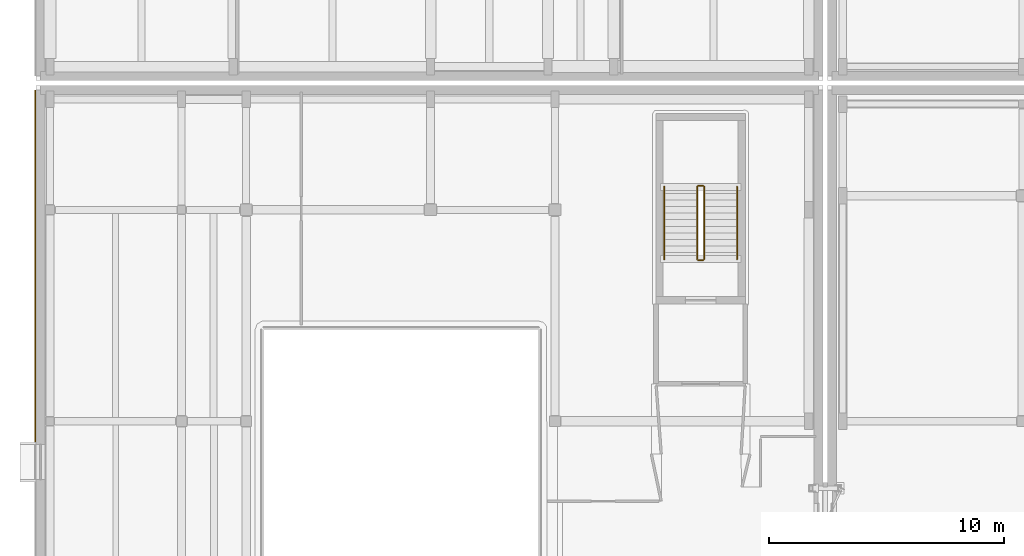
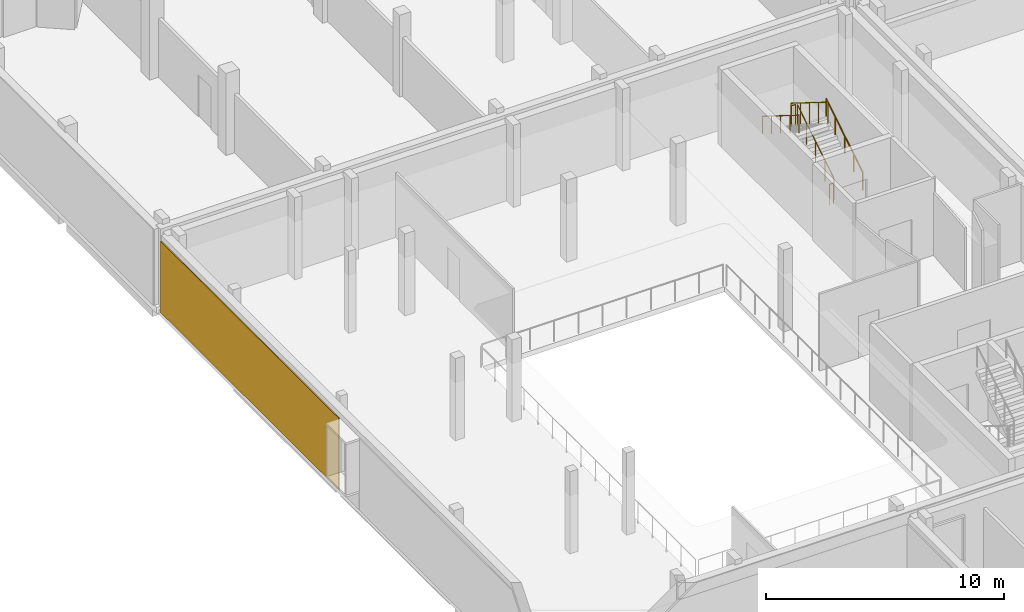
# One storey, part 73 of 84: 6 railings, 1 covering.
"""IFC4 building model written with IfcOpenShell, lengths in metres."""

from ifc_helpers import new_model, si_unit, direction, frame, origin, origin_2d, place, context, subcontext, project, spatial, rectangle, circle, extrude, material, layer, layer_set, type_object, element, save


model = new_model("IFC4")

# Units and contexts
model_context = context("Model", 3, precision=1e-05, world=origin(), true_north=direction((0.0, 1.0)))
body_context = subcontext(model_context, "Body", "Model", "MODEL_VIEW")
ifc_project = project(units=[si_unit("LENGTHUNIT", "METRE"), si_unit("AREAUNIT", "SQUARE_METRE"), si_unit("VOLUMEUNIT", "CUBIC_METRE"), si_unit("PLANEANGLEUNIT", "RADIAN"), si_unit("MASSUNIT", "GRAM", prefix="KILO")], contexts=[model_context])

# Site, building, storey
site_placement = place(None, origin())
site = spatial("IfcSite", under=ifc_project, at=site_placement, CompositionType="ELEMENT")
building_placement = place(site_placement, origin())
building = spatial("IfcBuilding", under=site, at=building_placement, Name="Mzevani Central Library", CompositionType="ELEMENT")
storey_placement = place(building_placement, frame((0.0, 0.0, 5.39990234375)))
storey = spatial("IfcBuildingStorey", under=building, at=storey_placement, Name="L01", CompositionType="ELEMENT", Elevation=5.39990234375)

# Railings
ifc_material_1 = material(Name="Brushed stainless steel rail", Category="steel")
railing_type_1 = type_object("IfcRailingType", Name="Interior Gallery and Stair Guard 1100", PredefinedType="BALUSTRADE", material=ifc_material_1)
railing_1_placement = place(storey_placement, frame((40.85009765625, 68.5, 0.175048828125)))
element("IfcRailing", 1, at=railing_1_placement, inside=storey, type_object=railing_type_1, Name="L01 ST-10 stair guard 1", PredefinedType="BALUSTRADE", context=body_context, shape_type="SweptSolid", body=[
    extrude(circle(Radius=0.02392578125, at=origin_2d()), frame((0.0, 0.0, 1.076171875), z_axis=(0.0, 0.847998304005, 0.529998940003), x_axis=(-1.0, 0.0, 0.0)), (0.0, 0.0, 1.0), 3.632080078125),
    extrude(circle(Radius=0.02099609375, at=origin_2d()), origin(), (0.0, 0.0, 1.0), 1.052001953125),
    extrude(circle(Radius=0.02099609375, at=origin_2d()), frame((0.0, 0.77001953125, 0.481201171875)), (0.0, 0.0, 1.0), 1.052001953125),
    extrude(circle(Radius=0.02099609375, at=origin_2d()), frame((0.0, 1.5400390625, 0.96240234375)), (0.0, 0.0, 1.0), 1.052001953125),
    extrude(circle(Radius=0.02099609375, at=origin_2d()), frame((0.0, 2.31005859375, 1.44384765625)), (0.0, 0.0, 1.0), 1.052001953125),
    extrude(circle(Radius=0.02099609375, at=origin_2d()), frame((0.0, 3.080078125, 1.925048828125)), (0.0, 0.0, 1.0), 1.052001953125),
])
railing_2_placement = place(storey_placement, frame((40.800048828125, 71.6298828125, 2.10009765625)))
element("IfcRailing", 2, at=railing_2_placement, inside=storey, type_object=railing_type_1, Name="L01 ST-10 stair guard 2", PredefinedType="BALUSTRADE", context=body_context, shape_type="SweptSolid", body=[
    extrude(circle(Radius=0.02392578125, at=origin_2d()), frame((0.0, 0.0, 1.076171875), z_axis=(-1.0, 0.0, 0.0), x_axis=(0.0, -1.0, 0.0)), (0.0, 0.0, 1.0), 0.199951171875),
    extrude(circle(Radius=0.02099609375, at=origin_2d()), origin(), (0.0, 0.0, 1.0), 1.052001953125),
    extrude(circle(Radius=0.02099609375, at=origin_2d()), frame((-0.199951171875, 0.0, 0.0)), (0.0, 0.0, 1.0), 1.052001953125),
])
railing_3_placement = place(storey_placement, frame((40.550048828125, 71.580078125, 2.275146484375)))
element("IfcRailing", 3, at=railing_3_placement, inside=storey, type_object=railing_type_1, Name="L01 ST-10 stair guard 3", PredefinedType="BALUSTRADE", context=body_context, shape_type="SweptSolid", body=[
    extrude(circle(Radius=0.02392578125, at=origin_2d()), frame((0.0, 0.0, 1.076171875), z_axis=(0.0, -0.847998304005, 0.529998940003), x_axis=(1.0, 0.0, 0.0)), (0.0, 0.0, 1.0), 3.632080078125),
    extrude(circle(Radius=0.02099609375, at=origin_2d()), origin(), (0.0, 0.0, 1.0), 1.052001953125),
    extrude(circle(Radius=0.02099609375, at=origin_2d()), frame((0.0, -0.77001953125, 0.481201171875)), (0.0, 0.0, 1.0), 1.052001953125),
    extrude(circle(Radius=0.02099609375, at=origin_2d()), frame((0.0, -1.5400390625, 0.96240234375)), (0.0, 0.0, 1.0), 1.052001953125),
    extrude(circle(Radius=0.02099609375, at=origin_2d()), frame((0.0, -2.31005859375, 1.44384765625)), (0.0, 0.0, 1.0), 1.052001953125),
    extrude(circle(Radius=0.02099609375, at=origin_2d()), frame((0.0, -3.080078125, 1.925048828125)), (0.0, 0.0, 1.0), 1.052001953125),
])
railing_4_placement = place(storey_placement, frame((40.800048828125, 68.449951171875, 0.0)))
element("IfcRailing", 4, at=railing_4_placement, inside=storey, type_object=railing_type_1, Name="L01 ST-10 stair guard 4", PredefinedType="BALUSTRADE", context=body_context, shape_type="SweptSolid", body=[
    extrude(circle(Radius=0.02392578125, at=origin_2d()), frame((0.0, 0.0, 1.076171875), z_axis=(-1.0, 0.0, 0.0), x_axis=(0.0, -1.0, 0.0)), (0.0, 0.0, 1.0), 0.199951171875),
    extrude(circle(Radius=0.02099609375, at=origin_2d()), origin(), (0.0, 0.0, 1.0), 1.052001953125),
    extrude(circle(Radius=0.02099609375, at=origin_2d()), frame((-0.199951171875, 0.0, 0.0)), (0.0, 0.0, 1.0), 1.052001953125),
])

# Covering
ifc_material_2 = material(Name="Limestone ashlar cladding", Category="masonry")
ifc_layer = layer(ifc_material_2, 0.050048828125, Name="Limestone Ashlar Spandrel Cladding")
ifc_layer_set = layer_set([ifc_layer], Name="Limestone ashlar cladding")
covering_type = type_object("IfcCoveringType", Name="Limestone Ashlar Spandrel Cladding", PredefinedType="CLADDING", material=ifc_layer_set)
covering_placement = place(storey_placement, frame((12.3759765625, 68.210205078125, 0.0), z_axis=(0.0, 0.0, 1.0), x_axis=(0.0, 1.0, 0.0)))
element("IfcCovering", 5, at=covering_placement, inside=storey, type_object=covering_type, Name="L01 Warm-White Facade Pier 3 (EW4-V5-L01-0092)", PredefinedType="CLADDING", context=body_context, shape_type="SweptSolid", body=[
    extrude(rectangle(XDim=14.959716796875, YDim=0.050048828125, at=origin_2d()), origin(), (0.0, 0.0, 1.0), 3.659912109375),
])

# Railings
railing_type_2 = type_object("IfcRailingType", Name="Stair Wall Handrail 920", PredefinedType="HANDRAIL", material=ifc_material_1)
railing_5_placement = place(storey_placement, frame((42.25, 68.5, 0.175048828125)))
element("IfcRailing", 6, at=railing_5_placement, inside=storey, type_object=railing_type_2, Name="L01 ST-10 stair handrail 1", PredefinedType="HANDRAIL", context=body_context, shape_type="SweptSolid", body=[
    extrude(circle(Radius=0.02392578125, at=origin_2d()), frame((0.0, 0.0, 0.89599609375), z_axis=(0.0, 0.847998304005, 0.529998940003), x_axis=(-1.0, 0.0, 0.0)), (0.0, 0.0, 1.0), 3.632080078125),
    extrude(circle(Radius=0.02099609375, at=origin_2d()), origin(), (0.0, 0.0, 1.0), 0.871826171875),
    extrude(circle(Radius=0.02099609375, at=origin_2d()), frame((0.0, 0.77001953125, 0.481201171875)), (0.0, 0.0, 1.0), 0.871826171875),
    extrude(circle(Radius=0.02099609375, at=origin_2d()), frame((0.0, 1.5400390625, 0.96240234375)), (0.0, 0.0, 1.0), 0.871826171875),
    extrude(circle(Radius=0.02099609375, at=origin_2d()), frame((0.0, 2.31005859375, 1.44384765625)), (0.0, 0.0, 1.0), 0.871826171875),
    extrude(circle(Radius=0.02099609375, at=origin_2d()), frame((0.0, 3.080078125, 1.925048828125)), (0.0, 0.0, 1.0), 0.871826171875),
])
railing_6_placement = place(storey_placement, frame((39.14990234375, 71.580078125, 2.275146484375)))
element("IfcRailing", 7, at=railing_6_placement, inside=storey, type_object=railing_type_2, Name="L01 ST-10 stair handrail 2", PredefinedType="HANDRAIL", context=body_context, shape_type="SweptSolid", body=[
    extrude(circle(Radius=0.02392578125, at=origin_2d()), frame((0.0, 0.0, 0.89599609375), z_axis=(0.0, -0.847998304005, 0.529998940003), x_axis=(1.0, 0.0, 0.0)), (0.0, 0.0, 1.0), 3.632080078125),
    extrude(circle(Radius=0.02099609375, at=origin_2d()), origin(), (0.0, 0.0, 1.0), 0.871826171875),
    extrude(circle(Radius=0.02099609375, at=origin_2d()), frame((0.0, -0.77001953125, 0.481201171875)), (0.0, 0.0, 1.0), 0.871826171875),
    extrude(circle(Radius=0.02099609375, at=origin_2d()), frame((0.0, -1.5400390625, 0.96240234375)), (0.0, 0.0, 1.0), 0.871826171875),
    extrude(circle(Radius=0.02099609375, at=origin_2d()), frame((0.0, -2.31005859375, 1.44384765625)), (0.0, 0.0, 1.0), 0.871826171875),
    extrude(circle(Radius=0.02099609375, at=origin_2d()), frame((0.0, -3.080078125, 1.925048828125)), (0.0, 0.0, 1.0), 0.871826171875),
])

save(model, "model.ifc")
